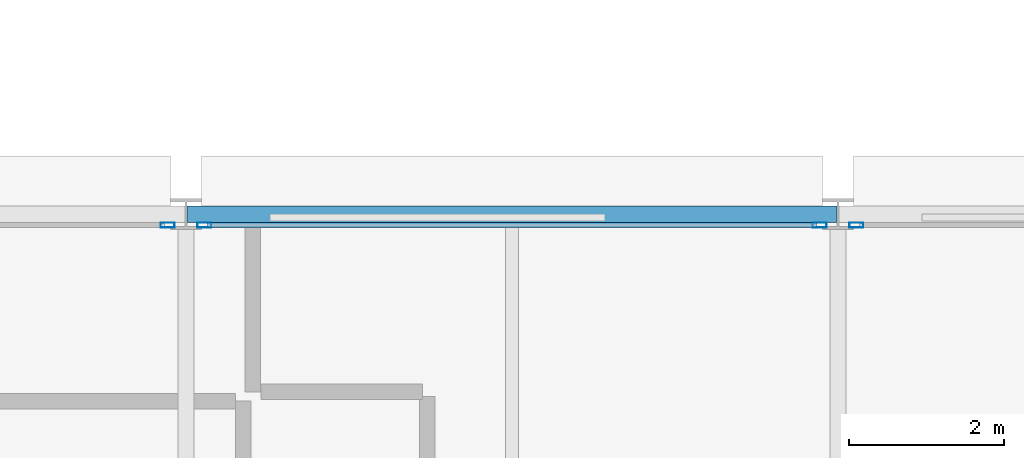
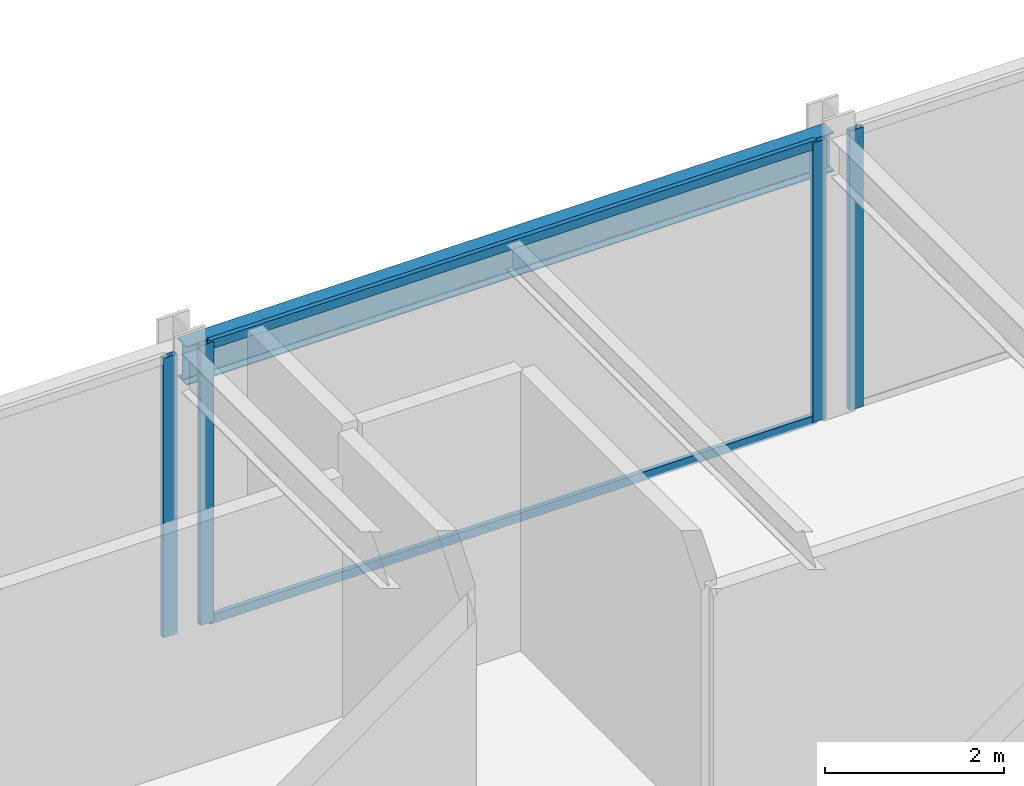
# One storey, part 20 of 39: 6 members, 1 beam, 3 elements without a shape of their own.
"""IFC4 building model written with IfcOpenShell, lengths in metres."""

from ifc_helpers import new_model, si_unit, direction, frame, origin, origin_2d, place, context, subcontext, project, spatial, hollow_rectangle, i_section, extrude, material, layer, layer_set, material_profile, profile_set, type_object, element, aggregate, save


model = new_model("IFC4")

# Units and contexts
model_context = context("Model", 3, precision=1e-05, world=origin(), true_north=direction((0.0, 1.0)))
body_context = subcontext(model_context, "Body", "Model", "MODEL_VIEW")
ifc_project = project(units=[si_unit("LENGTHUNIT", "METRE"), si_unit("AREAUNIT", "SQUARE_METRE"), si_unit("VOLUMEUNIT", "CUBIC_METRE"), si_unit("PLANEANGLEUNIT", "RADIAN"), si_unit("MASSUNIT", "GRAM", prefix="KILO")], contexts=[model_context])

# Site, building, storey
site_placement = place(None, origin())
site = spatial("IfcSite", under=ifc_project, at=site_placement, CompositionType="ELEMENT")
building_placement = place(site_placement, origin())
building = spatial("IfcBuilding", under=site, at=building_placement, Name="Nerrivon Quay Data Exchange", CompositionType="ELEMENT")
storey_placement = place(building_placement, frame((0.0, 0.0, 104.89990234375)))
storey = spatial("IfcBuildingStorey", under=building, at=storey_placement, Name="L24", CompositionType="ELEMENT", Elevation=104.89990234375)

# Beam
ifc_material_1 = material(Name="Steel Grade 350", Category="steel")
ifc_material_profile_1 = material_profile(ifc_material_1, i_section(OverallWidth=0.208984375, OverallDepth=0.532958984375, WebThickness=0.01025390625, FlangeThickness=0.015625, FilletRadius=0.013916015625, at=origin_2d()), Name="530UB92.4")
ifc_profile_set_1 = profile_set([ifc_material_profile_1], Name="Steel Grade 350")
beam_type = type_object("IfcBeamType", Name="BM-G3-530UB92", PredefinedType="BEAM", material=ifc_profile_set_1)
beam_placement = place(storey_placement, frame((33.612548828125, 25.199951171875, 3.55859375), z_axis=(1.0, 0.0, 0.0), x_axis=(0.0, 1.0, 0.0)))
element("IfcBeam", 1, at=beam_placement, inside=storey, type_object=beam_type, Name="L24 EW Girder Y=25.2 (33.6..42.0)", PredefinedType="BEAM", context=body_context, shape_type="SweptSolid", body=[
    extrude(i_section(OverallWidth=0.208984375, OverallDepth=0.532958984375, WebThickness=0.01025390625, FlangeThickness=0.015625, FilletRadius=0.013916015625, at=origin_2d()), origin(), (0.0, 0.0, 1.0), 8.375),
])

# Curtain wall, member
ifc_material_2 = material(Name="Anodised aluminium 6063-T6", Category="aluminium")
ifc_layer = layer(ifc_material_2, 0.2099609375)
ifc_layer_set = layer_set([ifc_layer], Name="Anodised aluminium 6063-T6")
curtain_wall_type = type_object("IfcCurtainWallType", Name="CW-SYS-02", PredefinedType="NOTDEFINED", material=ifc_layer_set)
curtain_wall_1_placement = place(storey_placement, origin())
curtain_wall_1 = element("IfcCurtainWall", 2, at=curtain_wall_1_placement, inside=storey, type_object=curtain_wall_type, Name="L24 Unitised Curtain Wall 32", PredefinedType="NOTDEFINED")
ifc_material_profile_2 = material_profile(ifc_material_2, hollow_rectangle(XDim=0.06494140625, YDim=0.179931640625, WallThickness=0.00341796875, at=origin_2d()), Name="ALU-MULL-180x65")
ifc_profile_set_2 = profile_set([ifc_material_profile_2], Name="Anodised aluminium 6063-T6")
member_type_1 = type_object("IfcMemberType", Name="CWM-180x65", PredefinedType="MULLION", material=ifc_profile_set_2)
member_1_placement = place(storey_placement, frame((33.362548828125, 25.06005859375, 0.0), z_axis=(0.0, 0.0, 1.0), x_axis=(0.0, 1.0, 0.0)))
member_1 = element("IfcMember", 3, at=member_1_placement, type_object=member_type_1, Name="CW02 mullion 2", PredefinedType="MULLION", context=body_context, shape_type="SweptSolid", body=[
    extrude(hollow_rectangle(XDim=0.06494140625, YDim=0.179931640625, WallThickness=0.00341796875, at=origin_2d()), origin(), (0.0, 0.0, 1.0), 3.8251953125),
])
aggregate(curtain_wall_1, [member_1])

# Curtain wall, members
curtain_wall_2_placement = place(storey_placement, origin())
curtain_wall_2 = element("IfcCurtainWall", 4, at=curtain_wall_2_placement, inside=storey, type_object=curtain_wall_type, Name="L24 Unitised Curtain Wall 33", PredefinedType="NOTDEFINED")
member_2_placement = place(storey_placement, frame((33.83740234375, 25.06005859375, 0.0), z_axis=(0.0, 0.0, 1.0), x_axis=(0.0, 1.0, 0.0)))
member_2 = element("IfcMember", 5, at=member_2_placement, type_object=member_type_1, Name="CW02 mullion 1", PredefinedType="MULLION", context=body_context, shape_type="SweptSolid", body=[
    extrude(hollow_rectangle(XDim=0.06494140625, YDim=0.179931640625, WallThickness=0.00341796875, at=origin_2d()), origin(), (0.0, 0.0, 1.0), 3.8251953125),
])
member_3_placement = place(storey_placement, frame((41.762451171875, 25.06005859375, 0.0), z_axis=(0.0, 0.0, 1.0), x_axis=(0.0, 1.0, 0.0)))
member_3 = element("IfcMember", 6, at=member_3_placement, type_object=member_type_1, Name="CW02 mullion 2", PredefinedType="MULLION", context=body_context, shape_type="SweptSolid", body=[
    extrude(hollow_rectangle(XDim=0.06494140625, YDim=0.179931640625, WallThickness=0.00341796875, at=origin_2d()), origin(), (0.0, 0.0, 1.0), 3.8251953125),
])

# Curtain wall, member
curtain_wall_3_placement = place(storey_placement, origin())
curtain_wall_3 = element("IfcCurtainWall", 7, at=curtain_wall_3_placement, inside=storey, type_object=curtain_wall_type, Name="L24 Unitised Curtain Wall 34", PredefinedType="NOTDEFINED")
member_4_placement = place(storey_placement, frame((42.237548828125, 25.06005859375, 0.0), z_axis=(0.0, 0.0, 1.0), x_axis=(0.0, 1.0, 0.0)))
member_4 = element("IfcMember", 8, at=member_4_placement, type_object=member_type_1, Name="CW02 mullion 1", PredefinedType="MULLION", context=body_context, shape_type="SweptSolid", body=[
    extrude(hollow_rectangle(XDim=0.06494140625, YDim=0.179931640625, WallThickness=0.00341796875, at=origin_2d()), origin(), (0.0, 0.0, 1.0), 3.8251953125),
])
aggregate(curtain_wall_3, [member_4])

# Member
ifc_material_profile_3 = material_profile(ifc_material_2, hollow_rectangle(XDim=0.06005859375, YDim=0.1201171875, WallThickness=0.003173828125, at=origin_2d()), Name="ALU-TRAN-120x60")
ifc_profile_set_3 = profile_set([ifc_material_profile_3], Name="Anodised aluminium 6063-T6")
member_type_2 = type_object("IfcMemberType", Name="CWT-120x60", PredefinedType="USERDEFINED", material=ifc_profile_set_3)
member_5_placement = place(storey_placement, frame((33.875, 25.06005859375, 0.03271484375), z_axis=(1.0, 0.0, 0.0), x_axis=(0.0, 1.0, 0.0)))
member_5 = element("IfcMember", 9, at=member_5_placement, type_object=member_type_2, Name="CW02 transom 1.1", ObjectType="TRANSOM", PredefinedType="USERDEFINED", context=body_context, shape_type="SweptSolid", body=[
    extrude(hollow_rectangle(XDim=0.06005859375, YDim=0.1201171875, WallThickness=0.003173828125, at=origin_2d()), origin(), (0.0, 0.0, 1.0), 7.85009765625),
])

member_6_placement = place(storey_placement, frame((33.875, 25.06005859375, 3.79248046875), z_axis=(1.0, 0.0, 0.0), x_axis=(0.0, 1.0, 0.0)))
member_6 = element("IfcMember", 10, at=member_6_placement, type_object=member_type_2, Name="CW02 transom 1.2", ObjectType="TRANSOM", PredefinedType="USERDEFINED", context=body_context, shape_type="SweptSolid", body=[
    extrude(hollow_rectangle(XDim=0.06005859375, YDim=0.1201171875, WallThickness=0.003173828125, at=origin_2d()), origin(), (0.0, 0.0, 1.0), 7.85009765625),
])

aggregate(curtain_wall_2, [member_2, member_3, member_5, member_6])

save(model, "model.ifc")
